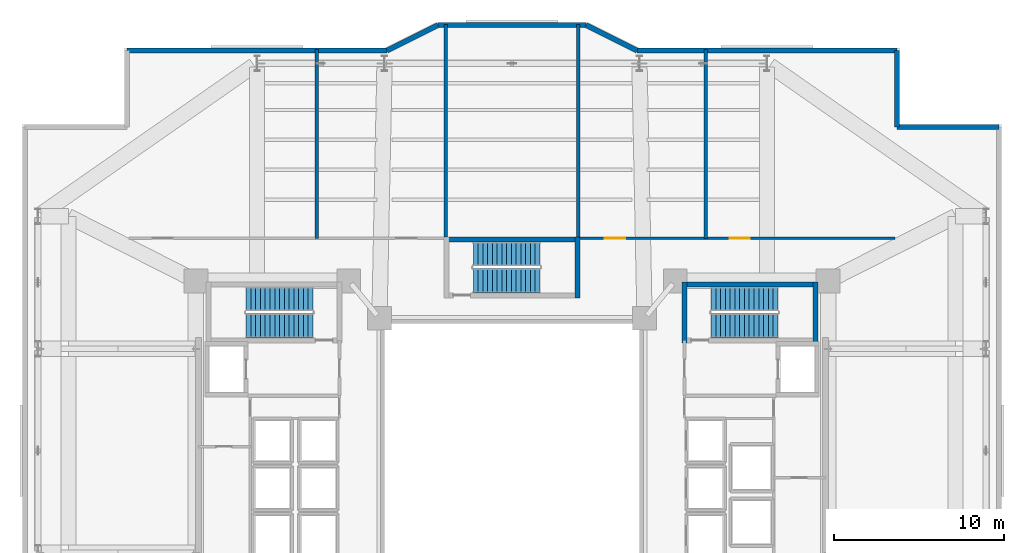
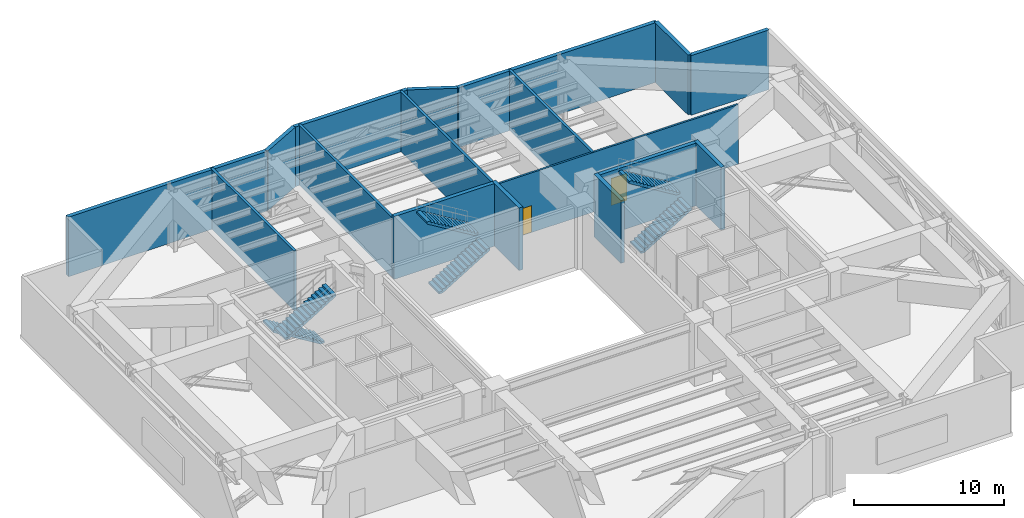
# One storey, part 10 of 12: 17 walls, 6 stair flights, 2 doors, 2 openings, 3 elements without a shape of their own.
"""IFC4 building model written with IfcOpenShell, lengths in metres."""

from ifc_helpers import new_model, si_unit, direction, frame, frame_2d, origin, place, context, subcontext, project, spatial, polyline, rectangle, outline, extrude, material, layer, layer_set, type_object, element, fill, aggregate, save


model = new_model("IFC4")

# Units and contexts
model_context = context("Model", 3, precision=1e-05, world=origin(), true_north=direction((0.0, 1.0)))
body_context = subcontext(model_context, "Body", "Model", "MODEL_VIEW")
ifc_project = project(units=[si_unit("LENGTHUNIT", "METRE"), si_unit("AREAUNIT", "SQUARE_METRE"), si_unit("VOLUMEUNIT", "CUBIC_METRE"), si_unit("PLANEANGLEUNIT", "RADIAN"), si_unit("MASSUNIT", "GRAM", prefix="KILO")], contexts=[model_context])

# Site, building, storey
site_placement = place(None, origin())
site = spatial("IfcSite", under=ifc_project, at=site_placement, CompositionType="ELEMENT")
building_placement = place(site_placement, origin())
building = spatial("IfcBuilding", under=site, at=building_placement, Name="Tarnavaz Court Tower", CompositionType="ELEMENT")
storey_placement = place(building_placement, frame((0.0, 0.0, 73.199951171875)))
storey = spatial("IfcBuildingStorey", under=building, at=storey_placement, Name="L19", CompositionType="ELEMENT", Elevation=73.199951171875)

# Walls
ifc_material_1 = material(Name="Concrete C60/75", Category="concrete")
ifc_layer_1 = layer(ifc_material_1, 0.300048828125)
ifc_layer_set_1 = layer_set([ifc_layer_1], Name="Concrete C60/75")
wall_type_1 = type_object("IfcWallType", Name="WL-CORE-300-C60", PredefinedType="SHEAR", material=ifc_layer_set_1)
wall_1_placement = place(storey_placement, frame((10.0, 9.7900390625, 0.0), z_axis=(0.0, 0.0, 1.0), x_axis=(1.0, 0.0, 0.0)))
element("IfcWall", 1, at=wall_1_placement, inside=storey, type_object=wall_type_1, Name="L19 East Stair Core Wall 005", PredefinedType="SHEAR", context=body_context, shape_type="SweptSolid", body=[
    extrude(rectangle(XDim=8.0, YDim=0.300048828125, at=frame_2d((4.0, 0.0))), origin(), (0.0, 0.0, 1.0), 5.10009765625),
])
for number, where, z_axis, x_axis, name in (
    (2, (10.14990234375, 6.35009765625, 0.0), (0.0, 0.0, 1.0), (0.0, 1.0, 0.0), "L19 East Stair Core Wall 007"),
    (3, (17.85009765625, 6.35009765625, 0.0), (0.0, 0.0, 1.0), (0.0, 1.0, 0.0), "L19 East Stair Core Wall 008"),
):
    element("IfcWall", number, at=place(storey_placement, frame(where, z_axis=z_axis, x_axis=x_axis)), inside=storey, type_object=wall_type_1, Name=name, PredefinedType="SHEAR", context=body_context, shape_type="SweptSolid", body=[
        extrude(rectangle(XDim=3.58984375, YDim=0.300048828125, at=frame_2d((1.794921875, 0.0))), origin(), (0.0, 0.0, 1.0), 5.10009765625),
    ])
wall_2_placement = place(storey_placement, frame((-4.0, 12.43994140625, 0.0), z_axis=(0.0, 0.0, 1.0), x_axis=(1.0, 0.0, 0.0)))
element("IfcWall", 4, at=wall_2_placement, inside=storey, type_object=wall_type_1, Name="L19 North Stair Core Wall 009", PredefinedType="SHEAR", context=body_context, shape_type="SweptSolid", body=[
    extrude(rectangle(XDim=8.0, YDim=0.300048828125, at=frame_2d((4.0, 0.0))), origin(), (0.0, 0.0, 1.0), 5.10009765625),
])
wall_3_placement = place(storey_placement, frame((3.85009765625, 9.0, 0.0), z_axis=(0.0, 0.0, 1.0), x_axis=(0.0, 1.0, 0.0)))
element("IfcWall", 5, at=wall_3_placement, inside=storey, type_object=wall_type_1, Name="L19 North Stair Core Wall 012", PredefinedType="SHEAR", context=body_context, shape_type="SweptSolid", body=[
    extrude(rectangle(XDim=3.590087890625, YDim=0.300048828125, at=frame_2d((1.794921875, 0.0))), origin(), (0.0, 0.0, 1.0), 5.10009765625),
])
ifc_material_2 = material(Name="Precast Concrete C40/50", Category="concrete")
ifc_layer_2 = layer(ifc_material_2, 0.300048828125)
ifc_layer_set_2 = layer_set([ifc_layer_2], Name="Precast Concrete C40/50")
wall_type_2 = type_object("IfcWallType", Name="WL-EXT-300", PredefinedType="SOLIDWALL", material=ifc_layer_set_2)
wall_4_placement = place(storey_placement, frame((-22.64990234375, 23.550048828125, 0.0), z_axis=(0.0, 0.0, 1.0), x_axis=(1.0, 0.0, 0.0)))
element("IfcWall", 6, at=wall_4_placement, inside=storey, type_object=wall_type_2, Name="L19 Exterior Terracotta Facade Wall 05", PredefinedType="SOLIDWALL", context=body_context, shape_type="SweptSolid", body=[
    extrude(rectangle(XDim=15.2998046875, YDim=0.300048828125, at=frame_2d((7.64990234375, 0.0))), origin(), (0.0, 0.0, 1.0), 4.85009765625),
])
wall_5_placement = place(storey_placement, frame((-7.35009765625, 23.550048828125, 0.0), z_axis=(0.0, 0.0, 1.0), x_axis=(0.894427191, 0.4472135955, 0.0)))
element("IfcWall", 7, at=wall_5_placement, inside=storey, type_object=wall_type_2, Name="L19 Exterior Terracotta Facade Wall 06", PredefinedType="SOLIDWALL", context=body_context, shape_type="SweptSolid", body=[
    extrude(rectangle(XDim=3.35400390625, YDim=0.300048828125, at=frame_2d((1.677001953125, 0.0))), origin(), (0.0, 0.0, 1.0), 4.85009765625),
])
wall_6_placement = place(storey_placement, frame((-4.35009765625, 25.050048828125, 0.0), z_axis=(0.0, 0.0, 1.0), x_axis=(1.0, 0.0, 0.0)))
element("IfcWall", 8, at=wall_6_placement, inside=storey, type_object=wall_type_2, Name="L19 Exterior Terracotta Facade Wall 07", PredefinedType="SOLIDWALL", context=body_context, shape_type="SweptSolid", body=[
    extrude(rectangle(XDim=8.7001953125, YDim=0.300048828125, at=frame_2d((4.35009765625, 0.0))), origin(), (0.0, 0.0, 1.0), 4.85009765625),
])
wall_7_placement = place(storey_placement, frame((4.35009765625, 25.050048828125, 0.0), z_axis=(0.0, 0.0, 1.0), x_axis=(0.894427191, -0.4472135955, 0.0)))
element("IfcWall", 9, at=wall_7_placement, inside=storey, type_object=wall_type_2, Name="L19 Exterior Terracotta Facade Wall 08", PredefinedType="SOLIDWALL", context=body_context, shape_type="SweptSolid", body=[
    extrude(rectangle(XDim=3.35400390625, YDim=0.300048828125, at=frame_2d((1.677001953125, 0.0))), origin(), (0.0, 0.0, 1.0), 4.85009765625),
])
wall_8_placement = place(storey_placement, frame((7.35009765625, 23.550048828125, 0.0), z_axis=(0.0, 0.0, 1.0), x_axis=(1.0, 0.0, 0.0)))
element("IfcWall", 10, at=wall_8_placement, inside=storey, type_object=wall_type_2, Name="L19 Exterior Terracotta Facade Wall 09", PredefinedType="SOLIDWALL", context=body_context, shape_type="SweptSolid", body=[
    extrude(rectangle(XDim=15.2998046875, YDim=0.300048828125, at=frame_2d((7.64990234375, 0.0))), origin(), (0.0, 0.0, 1.0), 4.85009765625),
])
wall_9_placement = place(storey_placement, frame((22.64990234375, 23.550048828125, 0.0), z_axis=(0.0, 0.0, 1.0), x_axis=(0.0, -1.0, 0.0)))
element("IfcWall", 11, at=wall_9_placement, inside=storey, type_object=wall_type_2, Name="L19 Exterior Terracotta Facade Wall 10", PredefinedType="SOLIDWALL", context=body_context, shape_type="SweptSolid", body=[
    extrude(rectangle(XDim=4.5, YDim=0.300048828125, at=frame_2d((2.25, 0.0))), origin(), (0.0, 0.0, 1.0), 4.85009765625),
])
wall_10_placement = place(storey_placement, frame((22.64990234375, 19.050048828125, 0.0), z_axis=(0.0, 0.0, 1.0), x_axis=(1.0, 0.0, 0.0)))
element("IfcWall", 12, at=wall_10_placement, inside=storey, type_object=wall_type_2, Name="L19 Exterior Terracotta Facade Wall 11", PredefinedType="SOLIDWALL", context=body_context, shape_type="SweptSolid", body=[
    extrude(rectangle(XDim=6.0, YDim=0.300048828125, at=frame_2d((3.0, 0.0))), origin(), (0.0, 0.0, 1.0), 4.85009765625),
])

# Wall, openings, doors
ifc_material_3 = material(Name="Gypsum Fire-Board on Acoustic Metal Stud", Category="masonry")
ifc_layer_3 = layer(ifc_material_3, 0.14990234375)
ifc_layer_set_3 = layer_set([ifc_layer_3], Name="Gypsum Fire-Board on Acoustic Metal Stud")
wall_type_3 = type_object("IfcWallType", Name="WL-FIRE-150", PredefinedType="PARTITIONING", material=ifc_layer_set_3)
wall_11_placement = place(storey_placement, frame((3.85009765625, 12.5, 0.0), z_axis=(0.0, 0.0, 1.0), x_axis=(1.0, 0.0, 0.0)))
wall_11 = element("IfcWall", 13, at=wall_11_placement, inside=storey, type_object=wall_type_3, Name="L19 NE Wing Corridor Wall 082", PredefinedType="PARTITIONING", context=body_context, shape_type="SweptSolid", body=[
    extrude(rectangle(XDim=18.699951171875, YDim=0.14990234375, at=frame_2d((9.35009765625, 0.0))), origin(), (0.0, 0.0, 1.0), 4.85009765625),
])
opening_1_placement = place(wall_11_placement, frame((1.60009765625, 0.0, 0.0)))
opening_1 = element("IfcOpeningElement", 14, at=opening_1_placement, cuts=wall_11, Name="Opening D03", PredefinedType="OPENING", context=body_context, shape_type="SweptSolid", body=[
    extrude(rectangle(XDim=1.199951171875, YDim=2.199951171875, at=frame_2d((0.60009765625, 1.10009765625))), frame((0.0, 0.0849609375, 0.0), z_axis=(0.0, -1.0, 0.0), x_axis=(1.0, 0.0, 0.0)), (0.0, 0.0, 1.0), 0.169921875),
])
opening_2_placement = place(wall_11_placement, frame((8.949951171875, 0.0, 0.0)))
opening_2 = element("IfcOpeningElement", 15, at=opening_2_placement, cuts=wall_11, Name="Opening D03", PredefinedType="OPENING", context=body_context, shape_type="SweptSolid", body=[
    extrude(rectangle(XDim=1.199951171875, YDim=2.199951171875, at=frame_2d((0.60009765625, 1.10009765625))), frame((0.0, 0.0849609375, 0.0), z_axis=(0.0, -1.0, 0.0), x_axis=(1.0, 0.0, 0.0)), (0.0, 0.0, 1.0), 0.169921875),
])
ifc_material_4 = material(Name="Fire-Rated Hardwood Timber Core", Category="wood")
door_type = type_object("IfcDoorType", Name="DR-FD90-1200", OperationType="NOTDEFINED", PredefinedType="DOOR", material=ifc_material_4)
door_1_placement = place(opening_1_placement, origin())
door_1 = element("IfcDoor", 16, at=door_1_placement, inside=storey, type_object=door_type, Name="L19 AHU Plant Room Door", OperationType="SINGLE_SWING_LEFT", OverallHeight=2.199951171875, OverallWidth=1.199951171875, PredefinedType="DOOR", context=body_context, shape_type="SweptSolid", body=[
    extrude(rectangle(XDim=1.199951171875, YDim=2.199951171875, at=frame_2d((0.60009765625, 1.10009765625))), frame((0.0, 0.02490234375, 0.0), z_axis=(0.0, -1.0, 0.0), x_axis=(1.0, 0.0, 0.0)), (0.0, 0.0, 1.0), 0.050048828125),
])
fill(opening_1, door_1)
door_2_placement = place(opening_2_placement, origin())
door_2 = element("IfcDoor", 17, at=door_2_placement, inside=storey, type_object=door_type, Name="L19 Booster Pump Room Door", OperationType="SINGLE_SWING_RIGHT", OverallHeight=2.199951171875, OverallWidth=1.199951171875, PredefinedType="DOOR", context=body_context, shape_type="SweptSolid", body=[
    extrude(rectangle(XDim=1.199951171875, YDim=2.199951171875, at=frame_2d((0.60009765625, 1.10009765625))), frame((0.0, 0.02490234375, 0.0), z_axis=(0.0, -1.0, 0.0), x_axis=(1.0, 0.0, 0.0)), (0.0, 0.0, 1.0), 0.050048828125),
])
fill(opening_2, door_2)

# Walls
ifc_material_5 = material(Name="Autoclaved Aerated Concrete Blockwork", Category="masonry")
ifc_layer_4 = layer(ifc_material_5, 0.199951171875)
ifc_layer_set_4 = layer_set([ifc_layer_4], Name="Autoclaved Aerated Concrete Blockwork")
wall_type_4 = type_object("IfcWallType", Name="WL-FIRE-200", PredefinedType="SOLIDWALL", material=ifc_layer_set_4)
for number, where, z_axis, x_axis, name in (
    (18, (-3.89990234375, 12.5, 0.0), (0.0, 0.0, 1.0), (0.0, 1.0, 0.0), "L19 Interior Partition 085"),
    (19, (3.89990234375, 12.5, 0.0), (0.0, 0.0, 1.0), (0.0, 1.0, 0.0), "L19 Interior Partition 086"),
):
    element("IfcWall", number, at=place(storey_placement, frame(where, z_axis=z_axis, x_axis=x_axis)), inside=storey, type_object=wall_type_4, Name=name, PredefinedType="SOLIDWALL", context=body_context, shape_type="SweptSolid", body=[
        extrude(rectangle(XDim=12.580078125, YDim=0.199951171875, at=frame_2d((6.2900390625, 0.0))), origin(), (0.0, 0.0, 1.0), 4.85009765625),
    ])
for number, where, z_axis, x_axis, name in (
    (20, (-11.5, 12.5, 0.0), (0.0, 0.0, 1.0), (0.0, 1.0, 0.0), "L19 Interior Partition 087"),
    (21, (11.39990234375, 12.5, 0.0), (0.0, 0.0, 1.0), (0.0, 1.0, 0.0), "L19 Interior Partition 088"),
):
    element("IfcWall", number, at=place(storey_placement, frame(where, z_axis=z_axis, x_axis=x_axis)), inside=storey, type_object=wall_type_4, Name=name, PredefinedType="SOLIDWALL", context=body_context, shape_type="SweptSolid", body=[
        extrude(rectangle(XDim=11.10009765625, YDim=0.199951171875, at=frame_2d((5.550048828125, 0.0))), origin(), (0.0, 0.0, 1.0), 4.85009765625),
    ])

# Stair, stair flights
ifc_material_6 = material(Name="Concrete C40/50", Category="concrete")
stair_type = type_object("IfcStairType", Name="ST-TWR-30R", PredefinedType="HALF_TURN_STAIR", material=ifc_material_6)
stair_1_placement = place(storey_placement, origin())
stair_1 = element("IfcStair", 22, at=stair_1_placement, inside=storey, type_object=stair_type, Name="L19 West Core Pressurized Exit Stair ST-W1", PredefinedType="HALF_TURN_STAIR")
stair_flight_type = type_object("IfcStairFlightType", Name="SFL-RC-30R", PredefinedType="STRAIGHT", material=ifc_material_6)
stair_flight_1_placement = place(storey_placement, frame((-11.719970703125, 8.929931640625, 0.0), z_axis=(0.0, 0.0, 1.0), x_axis=(-1.0, 0.0, 0.0)))
stair_flight_1 = element("IfcStairFlight", 23, at=stair_flight_1_placement, type_object=stair_flight_type, Name="ST-W1 flight 1", NumberOfRisers=15, NumberOfTreads=14, PredefinedType="STRAIGHT", RiserHeight=0.17, TreadLength=0.28, context=body_context, shape_type="SweptSolid", body=[
    extrude(outline(polyline([(0.0, 0.0), (0.0, 0.169921875), (0.280029296875, 0.169921875), (0.280029296875, 0.340087890625), (0.56005859375, 0.340087890625), (0.56005859375, 0.510009765625), (0.840087890625, 0.510009765625), (0.840087890625, 0.679931640625), (1.1201171875, 0.679931640625), (1.1201171875, 0.85009765625), (1.39990234375, 0.85009765625), (1.39990234375, 1.02001953125), (1.679931640625, 1.02001953125), (1.679931640625, 1.18994140625), (1.9599609375, 1.18994140625), (1.9599609375, 1.360107421875), (2.239990234375, 1.360107421875), (2.239990234375, 1.530029296875), (2.52001953125, 1.530029296875), (2.52001953125, 1.699951171875), (2.800048828125, 1.699951171875), (2.800048828125, 1.8701171875), (3.080078125, 1.8701171875), (3.080078125, 2.0400390625), (3.360107421875, 2.0400390625), (3.360107421875, 2.2099609375), (3.639892578125, 2.2099609375), (3.639892578125, 2.3798828125), (3.919921875, 2.3798828125), (3.919921875, 2.550048828125), (3.919921875, 2.20458984375), (0.288818359375, 0.0), (0.0, 0.0)])), frame((0.0, 0.7099609375, 0.0), z_axis=(0.0, -1.0, 0.0), x_axis=(1.0, 0.0, 0.0)), (0.0, 0.0, 1.0), 1.419921875),
])
stair_flight_2_placement = place(storey_placement, frame((-15.639892578125, 7.360107421875, 2.550048828125), z_axis=(0.0, 0.0, 1.0), x_axis=(1.0, 0.0, 0.0)))
stair_flight_2 = element("IfcStairFlight", 24, at=stair_flight_2_placement, type_object=stair_flight_type, Name="ST-W1 flight 2", NumberOfRisers=15, NumberOfTreads=14, PredefinedType="STRAIGHT", RiserHeight=0.17, TreadLength=0.28, context=body_context, shape_type="SweptSolid", body=[
    extrude(outline(polyline([(0.0, 0.0), (0.0, 0.169921875), (0.280029296875, 0.169921875), (0.280029296875, 0.340087890625), (0.56005859375, 0.340087890625), (0.56005859375, 0.510009765625), (0.840087890625, 0.510009765625), (0.840087890625, 0.679931640625), (1.1201171875, 0.679931640625), (1.1201171875, 0.85009765625), (1.39990234375, 0.85009765625), (1.39990234375, 1.02001953125), (1.679931640625, 1.02001953125), (1.679931640625, 1.18994140625), (1.9599609375, 1.18994140625), (1.9599609375, 1.360107421875), (2.239990234375, 1.360107421875), (2.239990234375, 1.530029296875), (2.52001953125, 1.530029296875), (2.52001953125, 1.699951171875), (2.800048828125, 1.699951171875), (2.800048828125, 1.8701171875), (3.080078125, 1.8701171875), (3.080078125, 2.0400390625), (3.360107421875, 2.0400390625), (3.360107421875, 2.2099609375), (3.639892578125, 2.2099609375), (3.639892578125, 2.3798828125), (3.919921875, 2.3798828125), (3.919921875, 2.550048828125), (3.919921875, 2.20458984375), (0.288818359375, 0.0), (0.0, 0.0)])), frame((0.0, 0.7099609375, 0.0), z_axis=(0.0, -1.0, 0.0), x_axis=(1.0, 0.0, 0.0)), (0.0, 0.0, 1.0), 1.419921875),
])
aggregate(stair_1, [stair_flight_1, stair_flight_2])

stair_2_placement = place(storey_placement, origin())
stair_2 = element("IfcStair", 25, at=stair_2_placement, inside=storey, type_object=stair_type, Name="L19 East Core Pressurized Exit Stair ST-E1", PredefinedType="HALF_TURN_STAIR")
stair_flight_3_placement = place(storey_placement, frame((11.719970703125, 7.360107421875, 0.0), z_axis=(0.0, 0.0, 1.0), x_axis=(1.0, 0.0, 0.0)))
stair_flight_3 = element("IfcStairFlight", 26, at=stair_flight_3_placement, type_object=stair_flight_type, Name="ST-E1 flight 1", NumberOfRisers=15, NumberOfTreads=14, PredefinedType="STRAIGHT", RiserHeight=0.17, TreadLength=0.28, context=body_context, shape_type="SweptSolid", body=[
    extrude(outline(polyline([(0.0, 0.0), (0.0, 0.169921875), (0.280029296875, 0.169921875), (0.280029296875, 0.340087890625), (0.56005859375, 0.340087890625), (0.56005859375, 0.510009765625), (0.840087890625, 0.510009765625), (0.840087890625, 0.679931640625), (1.1201171875, 0.679931640625), (1.1201171875, 0.85009765625), (1.39990234375, 0.85009765625), (1.39990234375, 1.02001953125), (1.679931640625, 1.02001953125), (1.679931640625, 1.18994140625), (1.9599609375, 1.18994140625), (1.9599609375, 1.360107421875), (2.239990234375, 1.360107421875), (2.239990234375, 1.530029296875), (2.52001953125, 1.530029296875), (2.52001953125, 1.699951171875), (2.800048828125, 1.699951171875), (2.800048828125, 1.8701171875), (3.080078125, 1.8701171875), (3.080078125, 2.0400390625), (3.360107421875, 2.0400390625), (3.360107421875, 2.2099609375), (3.639892578125, 2.2099609375), (3.639892578125, 2.3798828125), (3.919921875, 2.3798828125), (3.919921875, 2.550048828125), (3.919921875, 2.20458984375), (0.288818359375, 0.0), (0.0, 0.0)])), frame((0.0, 0.7099609375, 0.0), z_axis=(0.0, -1.0, 0.0), x_axis=(1.0, 0.0, 0.0)), (0.0, 0.0, 1.0), 1.419921875),
])
stair_flight_4_placement = place(storey_placement, frame((15.639892578125, 8.929931640625, 2.550048828125), z_axis=(0.0, 0.0, 1.0), x_axis=(-1.0, 0.0, 0.0)))
stair_flight_4 = element("IfcStairFlight", 27, at=stair_flight_4_placement, type_object=stair_flight_type, Name="ST-E1 flight 2", NumberOfRisers=15, NumberOfTreads=14, PredefinedType="STRAIGHT", RiserHeight=0.17, TreadLength=0.28, context=body_context, shape_type="SweptSolid", body=[
    extrude(outline(polyline([(0.0, 0.0), (0.0, 0.169921875), (0.280029296875, 0.169921875), (0.280029296875, 0.340087890625), (0.56005859375, 0.340087890625), (0.56005859375, 0.510009765625), (0.840087890625, 0.510009765625), (0.840087890625, 0.679931640625), (1.1201171875, 0.679931640625), (1.1201171875, 0.85009765625), (1.39990234375, 0.85009765625), (1.39990234375, 1.02001953125), (1.679931640625, 1.02001953125), (1.679931640625, 1.18994140625), (1.9599609375, 1.18994140625), (1.9599609375, 1.360107421875), (2.239990234375, 1.360107421875), (2.239990234375, 1.530029296875), (2.52001953125, 1.530029296875), (2.52001953125, 1.699951171875), (2.800048828125, 1.699951171875), (2.800048828125, 1.8701171875), (3.080078125, 1.8701171875), (3.080078125, 2.0400390625), (3.360107421875, 2.0400390625), (3.360107421875, 2.2099609375), (3.639892578125, 2.2099609375), (3.639892578125, 2.3798828125), (3.919921875, 2.3798828125), (3.919921875, 2.550048828125), (3.919921875, 2.20458984375), (0.288818359375, 0.0), (0.0, 0.0)])), frame((0.0, 0.7099609375, 0.0), z_axis=(0.0, -1.0, 0.0), x_axis=(1.0, 0.0, 0.0)), (0.0, 0.0, 1.0), 1.419921875),
])
aggregate(stair_2, [stair_flight_3, stair_flight_4])

stair_3_placement = place(storey_placement, origin())
stair_3 = element("IfcStair", 28, at=stair_3_placement, inside=storey, type_object=stair_type, Name="L19 North Ring Pressurized Exit Stair ST-N1", PredefinedType="HALF_TURN_STAIR")
stair_flight_5_placement = place(storey_placement, frame((-2.280029296875, 10.010009765625, 0.0), z_axis=(0.0, 0.0, 1.0), x_axis=(1.0, 0.0, 0.0)))
stair_flight_5 = element("IfcStairFlight", 29, at=stair_flight_5_placement, type_object=stair_flight_type, Name="ST-N1 flight 1", NumberOfRisers=15, NumberOfTreads=14, PredefinedType="STRAIGHT", RiserHeight=0.17, TreadLength=0.28, context=body_context, shape_type="SweptSolid", body=[
    extrude(outline(polyline([(0.0, 0.0), (0.0, 0.169921875), (0.280029296875, 0.169921875), (0.280029296875, 0.340087890625), (0.56005859375, 0.340087890625), (0.56005859375, 0.510009765625), (0.840087890625, 0.510009765625), (0.840087890625, 0.679931640625), (1.1201171875, 0.679931640625), (1.1201171875, 0.85009765625), (1.39990234375, 0.85009765625), (1.39990234375, 1.02001953125), (1.679931640625, 1.02001953125), (1.679931640625, 1.18994140625), (1.9599609375, 1.18994140625), (1.9599609375, 1.360107421875), (2.239990234375, 1.360107421875), (2.239990234375, 1.530029296875), (2.52001953125, 1.530029296875), (2.52001953125, 1.699951171875), (2.800048828125, 1.699951171875), (2.800048828125, 1.8701171875), (3.080078125, 1.8701171875), (3.080078125, 2.0400390625), (3.360107421875, 2.0400390625), (3.360107421875, 2.2099609375), (3.639892578125, 2.2099609375), (3.639892578125, 2.3798828125), (3.919921875, 2.3798828125), (3.919921875, 2.550048828125), (3.919921875, 2.20458984375), (0.288818359375, 0.0), (0.0, 0.0)])), frame((0.0, 0.7099609375, 0.0), z_axis=(0.0, -1.0, 0.0), x_axis=(1.0, 0.0, 0.0)), (0.0, 0.0, 1.0), 1.419921875),
])
stair_flight_6_placement = place(storey_placement, frame((1.639892578125, 11.580078125, 2.550048828125), z_axis=(0.0, 0.0, 1.0), x_axis=(-1.0, 0.0, 0.0)))
stair_flight_6 = element("IfcStairFlight", 30, at=stair_flight_6_placement, type_object=stair_flight_type, Name="ST-N1 flight 2", NumberOfRisers=15, NumberOfTreads=14, PredefinedType="STRAIGHT", RiserHeight=0.17, TreadLength=0.28, context=body_context, shape_type="SweptSolid", body=[
    extrude(outline(polyline([(0.0, 0.0), (0.0, 0.169921875), (0.280029296875, 0.169921875), (0.280029296875, 0.340087890625), (0.56005859375, 0.340087890625), (0.56005859375, 0.510009765625), (0.840087890625, 0.510009765625), (0.840087890625, 0.679931640625), (1.1201171875, 0.679931640625), (1.1201171875, 0.85009765625), (1.39990234375, 0.85009765625), (1.39990234375, 1.02001953125), (1.679931640625, 1.02001953125), (1.679931640625, 1.18994140625), (1.9599609375, 1.18994140625), (1.9599609375, 1.360107421875), (2.239990234375, 1.360107421875), (2.239990234375, 1.530029296875), (2.52001953125, 1.530029296875), (2.52001953125, 1.699951171875), (2.800048828125, 1.699951171875), (2.800048828125, 1.8701171875), (3.080078125, 1.8701171875), (3.080078125, 2.0400390625), (3.360107421875, 2.0400390625), (3.360107421875, 2.2099609375), (3.639892578125, 2.2099609375), (3.639892578125, 2.3798828125), (3.919921875, 2.3798828125), (3.919921875, 2.550048828125), (3.919921875, 2.20458984375), (0.288818359375, 0.0), (0.0, 0.0)])), frame((0.0, 0.7099609375, 0.0), z_axis=(0.0, -1.0, 0.0), x_axis=(1.0, 0.0, 0.0)), (0.0, 0.0, 1.0), 1.419921875),
])
aggregate(stair_3, [stair_flight_5, stair_flight_6])

save(model, "model.ifc")
